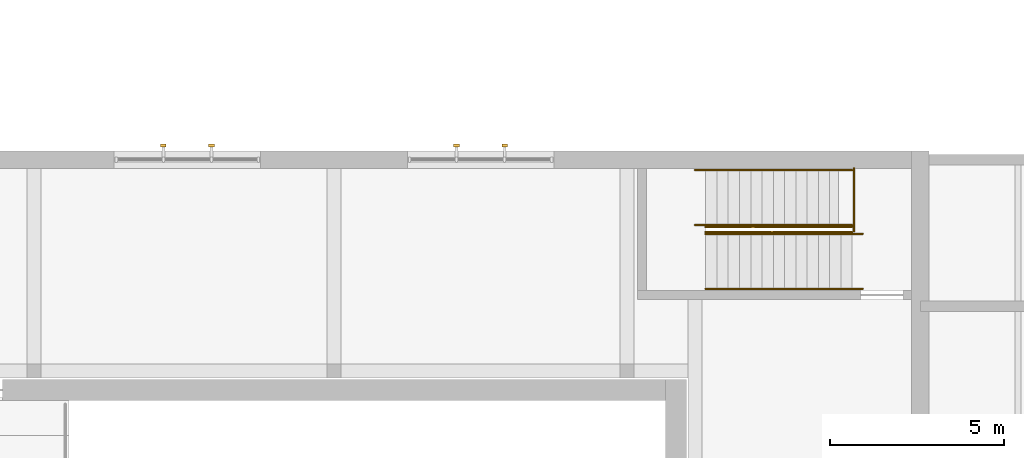
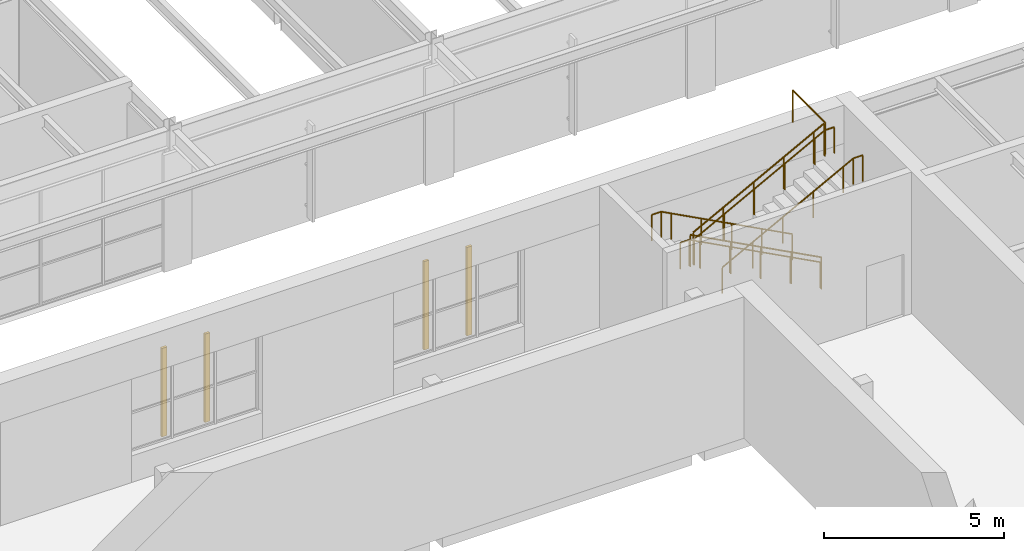
# One storey, part 112 of 116: 7 railings, 4 shading devices.
"""IFC4 building model written with IfcOpenShell, lengths in metres."""

from ifc_helpers import new_model, si_unit, direction, frame, origin, origin_2d, place, context, subcontext, project, spatial, rectangle, circle, extrude, material, type_object, element, save


model = new_model("IFC4")

# Units and contexts
model_context = context("Model", 3, precision=1e-05, world=origin(), true_north=direction((0.0, 1.0)))
body_context = subcontext(model_context, "Body", "Model", "MODEL_VIEW")
ifc_project = project(units=[si_unit("LENGTHUNIT", "METRE"), si_unit("AREAUNIT", "SQUARE_METRE"), si_unit("VOLUMEUNIT", "CUBIC_METRE"), si_unit("PLANEANGLEUNIT", "RADIAN"), si_unit("MASSUNIT", "GRAM", prefix="KILO")], contexts=[model_context])

# Site, building, storey
site_placement = place(None, origin())
site = spatial("IfcSite", under=ifc_project, at=site_placement, CompositionType="ELEMENT")
building_placement = place(site_placement, origin())
building = spatial("IfcBuilding", under=site, at=building_placement, Name="Ljudholm Concert House", CompositionType="ELEMENT")
storey_placement = place(building_placement, frame((0.0, 0.0, 10.199951171875)))
storey = spatial("IfcBuildingStorey", under=building, at=storey_placement, Name="L02", CompositionType="ELEMENT", Elevation=10.199951171875)

# Shading devices
ifc_material_1 = material(Name="Aluminium extrusion with timber-grain PVDF finish", Category="aluminium")
shading_device_type = type_object("IfcShadingDeviceType", Name="FACADE FIN 80x160", PredefinedType="SHUTTER", material=ifc_material_1)
for number, where, z_axis, x_axis, name in (
    (1, (74.7099609375, 96.81005859375, 0.699951171875), (0.0, 0.0, 1.0), (0.0, 1.0, 0.0), "Facade fin"),
    (2, (76.090087890625, 96.81005859375, 0.699951171875), (0.0, 0.0, 1.0), (0.0, 1.0, 0.0), "Facade fin"),
    (3, (83.110107421875, 96.81005859375, 0.699951171875), (0.0, 0.0, 1.0), (0.0, 1.0, 0.0), "Facade fin"),
    (4, (84.489990234375, 96.81005859375, 0.699951171875), (0.0, 0.0, 1.0), (0.0, 1.0, 0.0), "Facade fin"),
):
    element("IfcShadingDevice", number, at=place(storey_placement, frame(where, z_axis=z_axis, x_axis=x_axis)), inside=storey, type_object=shading_device_type, Name=name, PredefinedType="SHUTTER", context=body_context, shape_type="SweptSolid", body=[
        extrude(rectangle(XDim=0.080078125, YDim=0.159912109375, at=origin_2d()), origin(), (0.0, 0.0, 1.0), 3.0),
    ])

# Railings
ifc_material_2 = material(Name="Steel ASTM A36", Category="steel")
railing_type_1 = type_object("IfcRailingType", Name="GUARD 1100", PredefinedType="GUARDRAIL", material=ifc_material_2)
railing_1_placement = place(storey_placement, frame((94.449951171875, 94.47509765625, 0.17138671875)))
element("IfcRailing", 5, at=railing_1_placement, inside=storey, type_object=railing_type_1, Name="Guard", PredefinedType="GUARDRAIL", context=body_context, shape_type="SweptSolid", body=[
    extrude(circle(Radius=0.02490234375, at=origin_2d()), frame((0.0, 0.0, 1.0751953125), z_axis=(-0.883305776083, 0.0, 0.468797297281), x_axis=(0.0, -1.0, 0.0)), (0.0, 0.0, 1.0), 1.09716796875),
    extrude(circle(Radius=0.02490234375, at=origin_2d()), frame((-0.96923828125, 0.0, 1.58935546875), z_axis=(-0.883397901953, 0.0, 0.468623672925), x_axis=(0.0, -1.0, 0.0)), (0.0, 0.0, 1.0), 1.09716796875),
    extrude(circle(Radius=0.02490234375, at=origin_2d()), frame((-1.9384765625, 0.0, 2.103515625), z_axis=(-0.883305776083, 0.0, 0.468797297281), x_axis=(0.0, -1.0, 0.0)), (0.0, 0.0, 1.0), 1.09716796875),
    extrude(circle(Radius=0.02490234375, at=origin_2d()), frame((-2.90771484375, 0.0, 2.6181640625), z_axis=(-0.883397901953, 0.0, 0.468623672925), x_axis=(0.0, -1.0, 0.0)), (0.0, 0.0, 1.0), 1.09716796875),
    extrude(circle(Radius=0.02490234375, at=origin_2d()), frame((-3.876953125, 0.0, 3.13232421875), z_axis=(-0.88307250507, 0.0, 0.469236561651), x_axis=(0.0, -1.0, 0.0)), (0.0, 0.0, 1.0), 0.36572265625),
    extrude(circle(Radius=0.02099609375, at=origin_2d()), origin(), (0.0, 0.0, 1.0), 1.050048828125),
    extrude(circle(Radius=0.02099609375, at=origin_2d()), frame((-0.96923828125, 0.0, 0.514404296875)), (0.0, 0.0, 1.0), 1.050048828125),
    extrude(circle(Radius=0.02099609375, at=origin_2d()), frame((-1.9384765625, 0.0, 1.028564453125)), (0.0, 0.0, 1.0), 1.050048828125),
    extrude(circle(Radius=0.02099609375, at=origin_2d()), frame((-2.90771484375, 0.0, 1.54296875)), (0.0, 0.0, 1.0), 1.050048828125),
    extrude(circle(Radius=0.02099609375, at=origin_2d()), frame((-3.876953125, 0.0, 2.05712890625)), (0.0, 0.0, 1.0), 1.050048828125),
    extrude(circle(Radius=0.02099609375, at=origin_2d()), frame((-4.199951171875, 0.0, 2.228759765625)), (0.0, 0.0, 1.0), 1.050048828125),
])
railing_2_placement = place(storey_placement, frame((90.25, 94.324951171875, 2.571533203125)))
element("IfcRailing", 6, at=railing_2_placement, inside=storey, type_object=railing_type_1, Name="Guard", PredefinedType="GUARDRAIL", context=body_context, shape_type="SweptSolid", body=[
    extrude(circle(Radius=0.02490234375, at=origin_2d()), frame((0.0, 0.0, 1.0751953125), z_axis=(0.883397901953, 0.0, 0.468623672925), x_axis=(0.0, 1.0, 0.0)), (0.0, 0.0, 1.0), 1.09716796875),
    extrude(circle(Radius=0.02490234375, at=origin_2d()), frame((0.96923828125, 0.0, 1.58935546875), z_axis=(0.883305776083, 0.0, 0.468797297281), x_axis=(0.0, 1.0, 0.0)), (0.0, 0.0, 1.0), 1.09716796875),
    extrude(circle(Radius=0.02490234375, at=origin_2d()), frame((1.9384765625, 0.0, 2.103515625), z_axis=(0.883397901953, 0.0, 0.468623672925), x_axis=(0.0, 1.0, 0.0)), (0.0, 0.0, 1.0), 1.09716796875),
    extrude(circle(Radius=0.02490234375, at=origin_2d()), frame((2.90771484375, 0.0, 2.61767578125), z_axis=(0.883305776083, 0.0, 0.468797297281), x_axis=(0.0, 1.0, 0.0)), (0.0, 0.0, 1.0), 1.09716796875),
    extrude(circle(Radius=0.02490234375, at=origin_2d()), frame((3.876953125, 0.0, 3.13232421875), z_axis=(0.883349020695, 0.0, 0.468715806899), x_axis=(0.0, 1.0, 0.0)), (0.0, 0.0, 1.0), 0.36572265625),
    extrude(circle(Radius=0.02099609375, at=origin_2d()), origin(), (0.0, 0.0, 1.0), 1.050048828125),
    extrude(circle(Radius=0.02099609375, at=origin_2d()), frame((0.96923828125, 0.0, 0.51416015625)), (0.0, 0.0, 1.0), 1.050048828125),
    extrude(circle(Radius=0.02099609375, at=origin_2d()), frame((1.9384765625, 0.0, 1.028564453125)), (0.0, 0.0, 1.0), 1.050048828125),
    extrude(circle(Radius=0.02099609375, at=origin_2d()), frame((2.90771484375, 0.0, 1.542724609375)), (0.0, 0.0, 1.0), 1.050048828125),
    extrude(circle(Radius=0.02099609375, at=origin_2d()), frame((3.876953125, 0.0, 2.05712890625)), (0.0, 0.0, 1.0), 1.050048828125),
    extrude(circle(Radius=0.02099609375, at=origin_2d()), frame((4.199951171875, 0.0, 2.228515625)), (0.0, 0.0, 1.0), 1.050048828125),
])
railing_3_placement = place(storey_placement, frame((94.5, 96.14990234375, 4.800048828125)))
element("IfcRailing", 7, at=railing_3_placement, inside=storey, type_object=railing_type_1, Name="Guard", PredefinedType="GUARDRAIL", context=body_context, shape_type="SweptSolid", body=[
    extrude(circle(Radius=0.02490234375, at=origin_2d()), frame((0.0, 0.0, 1.0751953125), z_axis=(0.0, -1.0, 0.0), x_axis=(1.0, 0.0, 0.0)), (0.0, 0.0, 1.0), 1.7998046875),
    extrude(circle(Radius=0.02099609375, at=origin_2d()), origin(), (0.0, 0.0, 1.0), 1.050048828125),
    extrude(circle(Radius=0.02099609375, at=origin_2d()), frame((0.0, -1.7998046875, 0.0)), (0.0, 0.0, 1.0), 1.050048828125),
])
ifc_material_3 = material(Name="Steel ASTM A36", Category="steel")
railing_type_2 = type_object("IfcRailingType", Name="HANDRAIL 900", PredefinedType="HANDRAIL", material=ifc_material_3)
railing_4_placement = place(storey_placement, frame((94.449951171875, 94.52490234375, 0.17138671875)))
element("IfcRailing", 8, at=railing_4_placement, inside=storey, type_object=railing_type_2, Name="Handrail", PredefinedType="HANDRAIL", context=body_context, shape_type="SweptSolid", body=[
    extrude(circle(Radius=0.0224609375, at=origin_2d()), frame((0.0, 0.0, 0.87744140625), z_axis=(-0.883305776083, 0.0, 0.468797297281), x_axis=(0.0, -1.0, 0.0)), (0.0, 0.0, 1.0), 1.09716796875),
    extrude(circle(Radius=0.0224609375, at=origin_2d()), frame((-0.96923828125, 0.0, 1.391845703125), z_axis=(-0.883397901953, 0.0, 0.468623672925), x_axis=(0.0, -1.0, 0.0)), (0.0, 0.0, 1.0), 1.09716796875),
    extrude(circle(Radius=0.0224609375, at=origin_2d()), frame((-1.9384765625, 0.0, 1.906005859375), z_axis=(-0.883305776083, 0.0, 0.468797297281), x_axis=(0.0, -1.0, 0.0)), (0.0, 0.0, 1.0), 1.09716796875),
    extrude(circle(Radius=0.0224609375, at=origin_2d()), frame((-2.90771484375, 0.0, 2.42041015625), z_axis=(-0.883397901953, 0.0, 0.468623672925), x_axis=(0.0, -1.0, 0.0)), (0.0, 0.0, 1.0), 1.09716796875),
    extrude(circle(Radius=0.0224609375, at=origin_2d()), frame((-3.876953125, 0.0, 2.9345703125), z_axis=(-0.88307250507, 0.0, 0.469236561651), x_axis=(0.0, -1.0, 0.0)), (0.0, 0.0, 1.0), 0.36572265625),
    extrude(circle(Radius=0.0224609375, at=origin_2d()), frame((-4.199951171875, 0.0, 3.106201171875), z_axis=(-1.0, 0.0, 0.0), x_axis=(0.0, -1.0, 0.0)), (0.0, 0.0, 1.0), 0.300048828125),
    extrude(circle(Radius=0.02099609375, at=origin_2d()), origin(), (0.0, 0.0, 1.0), 0.85498046875),
    extrude(circle(Radius=0.02099609375, at=origin_2d()), frame((-0.96923828125, 0.0, 0.514404296875)), (0.0, 0.0, 1.0), 0.85498046875),
    extrude(circle(Radius=0.02099609375, at=origin_2d()), frame((-1.9384765625, 0.0, 1.028564453125)), (0.0, 0.0, 1.0), 0.85498046875),
    extrude(circle(Radius=0.02099609375, at=origin_2d()), frame((-2.90771484375, 0.0, 1.54296875)), (0.0, 0.0, 1.0), 0.85498046875),
    extrude(circle(Radius=0.02099609375, at=origin_2d()), frame((-3.876953125, 0.0, 2.05712890625)), (0.0, 0.0, 1.0), 0.85498046875),
    extrude(circle(Radius=0.02099609375, at=origin_2d()), frame((-4.199951171875, 0.0, 2.228759765625)), (0.0, 0.0, 1.0), 0.85498046875),
    extrude(circle(Radius=0.02099609375, at=origin_2d()), frame((-4.5, 0.0, 2.228759765625)), (0.0, 0.0, 1.0), 0.85498046875),
])
railing_5_placement = place(storey_placement, frame((94.449951171875, 96.10009765625, 0.17138671875)))
element("IfcRailing", 9, at=railing_5_placement, inside=storey, type_object=railing_type_2, Name="Handrail", PredefinedType="HANDRAIL", context=body_context, shape_type="SweptSolid", body=[
    extrude(circle(Radius=0.0224609375, at=origin_2d()), frame((0.0, 0.0, 0.87744140625), z_axis=(-0.883305776083, 0.0, 0.468797297281), x_axis=(0.0, -1.0, 0.0)), (0.0, 0.0, 1.0), 1.09716796875),
    extrude(circle(Radius=0.0224609375, at=origin_2d()), frame((-0.96923828125, 0.0, 1.391845703125), z_axis=(-0.883397901953, 0.0, 0.468623672925), x_axis=(0.0, -1.0, 0.0)), (0.0, 0.0, 1.0), 1.09716796875),
    extrude(circle(Radius=0.0224609375, at=origin_2d()), frame((-1.9384765625, 0.0, 1.906005859375), z_axis=(-0.883305776083, 0.0, 0.468797297281), x_axis=(0.0, -1.0, 0.0)), (0.0, 0.0, 1.0), 1.09716796875),
    extrude(circle(Radius=0.0224609375, at=origin_2d()), frame((-2.90771484375, 0.0, 2.42041015625), z_axis=(-0.883397901953, 0.0, 0.468623672925), x_axis=(0.0, -1.0, 0.0)), (0.0, 0.0, 1.0), 1.09716796875),
    extrude(circle(Radius=0.0224609375, at=origin_2d()), frame((-3.876953125, 0.0, 2.9345703125), z_axis=(-0.88307250507, 0.0, 0.469236561651), x_axis=(0.0, -1.0, 0.0)), (0.0, 0.0, 1.0), 0.36572265625),
    extrude(circle(Radius=0.0224609375, at=origin_2d()), frame((-4.199951171875, 0.0, 3.106201171875), z_axis=(-1.0, 0.0, 0.0), x_axis=(0.0, -1.0, 0.0)), (0.0, 0.0, 1.0), 0.300048828125),
    extrude(circle(Radius=0.02099609375, at=origin_2d()), origin(), (0.0, 0.0, 1.0), 0.85498046875),
    extrude(circle(Radius=0.02099609375, at=origin_2d()), frame((-0.96923828125, 0.0, 0.514404296875)), (0.0, 0.0, 1.0), 0.85498046875),
    extrude(circle(Radius=0.02099609375, at=origin_2d()), frame((-1.9384765625, 0.0, 1.028564453125)), (0.0, 0.0, 1.0), 0.85498046875),
    extrude(circle(Radius=0.02099609375, at=origin_2d()), frame((-2.90771484375, 0.0, 1.54296875)), (0.0, 0.0, 1.0), 0.85498046875),
    extrude(circle(Radius=0.02099609375, at=origin_2d()), frame((-3.876953125, 0.0, 2.05712890625)), (0.0, 0.0, 1.0), 0.85498046875),
    extrude(circle(Radius=0.02099609375, at=origin_2d()), frame((-4.199951171875, 0.0, 2.228759765625)), (0.0, 0.0, 1.0), 0.85498046875),
    extrude(circle(Radius=0.02099609375, at=origin_2d()), frame((-4.5, 0.0, 2.228759765625)), (0.0, 0.0, 1.0), 0.85498046875),
])
railing_6_placement = place(storey_placement, frame((90.25, 94.27490234375, 2.571533203125)))
element("IfcRailing", 10, at=railing_6_placement, inside=storey, type_object=railing_type_2, Name="Handrail", PredefinedType="HANDRAIL", context=body_context, shape_type="SweptSolid", body=[
    extrude(circle(Radius=0.0224609375, at=origin_2d()), frame((0.0, 0.0, 0.87744140625), z_axis=(0.883397901953, 0.0, 0.468623672925), x_axis=(0.0, 1.0, 0.0)), (0.0, 0.0, 1.0), 1.09716796875),
    extrude(circle(Radius=0.0224609375, at=origin_2d()), frame((0.96923828125, 0.0, 1.3916015625), z_axis=(0.883305776083, 0.0, 0.468797297281), x_axis=(0.0, 1.0, 0.0)), (0.0, 0.0, 1.0), 1.09716796875),
    extrude(circle(Radius=0.0224609375, at=origin_2d()), frame((1.9384765625, 0.0, 1.906005859375), z_axis=(0.883397901953, 0.0, 0.468623672925), x_axis=(0.0, 1.0, 0.0)), (0.0, 0.0, 1.0), 1.09716796875),
    extrude(circle(Radius=0.0224609375, at=origin_2d()), frame((2.90771484375, 0.0, 2.420166015625), z_axis=(0.883305776083, 0.0, 0.468797297281), x_axis=(0.0, 1.0, 0.0)), (0.0, 0.0, 1.0), 1.09716796875),
    extrude(circle(Radius=0.0224609375, at=origin_2d()), frame((3.876953125, 0.0, 2.9345703125), z_axis=(0.883349020695, 0.0, 0.468715806899), x_axis=(0.0, 1.0, 0.0)), (0.0, 0.0, 1.0), 0.36572265625),
    extrude(circle(Radius=0.0224609375, at=origin_2d()), frame((4.199951171875, 0.0, 3.10595703125), z_axis=(1.0, 0.0, 0.0), x_axis=(0.0, 1.0, 0.0)), (0.0, 0.0, 1.0), 0.300048828125),
    extrude(circle(Radius=0.02099609375, at=origin_2d()), origin(), (0.0, 0.0, 1.0), 0.85498046875),
    extrude(circle(Radius=0.02099609375, at=origin_2d()), frame((0.96923828125, 0.0, 0.51416015625)), (0.0, 0.0, 1.0), 0.85498046875),
    extrude(circle(Radius=0.02099609375, at=origin_2d()), frame((1.9384765625, 0.0, 1.028564453125)), (0.0, 0.0, 1.0), 0.85498046875),
    extrude(circle(Radius=0.02099609375, at=origin_2d()), frame((2.90771484375, 0.0, 1.542724609375)), (0.0, 0.0, 1.0), 0.85498046875),
    extrude(circle(Radius=0.02099609375, at=origin_2d()), frame((3.876953125, 0.0, 2.05712890625)), (0.0, 0.0, 1.0), 0.85498046875),
    extrude(circle(Radius=0.02099609375, at=origin_2d()), frame((4.199951171875, 0.0, 2.228515625)), (0.0, 0.0, 1.0), 0.85498046875),
    extrude(circle(Radius=0.02099609375, at=origin_2d()), frame((4.5, 0.0, 2.228515625)), (0.0, 0.0, 1.0), 0.85498046875),
])
railing_7_placement = place(storey_placement, frame((90.25, 92.699951171875, 2.571533203125)))
element("IfcRailing", 11, at=railing_7_placement, inside=storey, type_object=railing_type_2, Name="Handrail", PredefinedType="HANDRAIL", context=body_context, shape_type="SweptSolid", body=[
    extrude(circle(Radius=0.0224609375, at=origin_2d()), frame((0.0, 0.0, 0.87744140625), z_axis=(0.883397901953, 0.0, 0.468623672925), x_axis=(0.0, 1.0, 0.0)), (0.0, 0.0, 1.0), 1.09716796875),
    extrude(circle(Radius=0.0224609375, at=origin_2d()), frame((0.96923828125, 0.0, 1.3916015625), z_axis=(0.883305776083, 0.0, 0.468797297281), x_axis=(0.0, 1.0, 0.0)), (0.0, 0.0, 1.0), 1.09716796875),
    extrude(circle(Radius=0.0224609375, at=origin_2d()), frame((1.9384765625, 0.0, 1.906005859375), z_axis=(0.883397901953, 0.0, 0.468623672925), x_axis=(0.0, 1.0, 0.0)), (0.0, 0.0, 1.0), 1.09716796875),
    extrude(circle(Radius=0.0224609375, at=origin_2d()), frame((2.90771484375, 0.0, 2.420166015625), z_axis=(0.883305776083, 0.0, 0.468797297281), x_axis=(0.0, 1.0, 0.0)), (0.0, 0.0, 1.0), 1.09716796875),
    extrude(circle(Radius=0.0224609375, at=origin_2d()), frame((3.876953125, 0.0, 2.9345703125), z_axis=(0.883349020695, 0.0, 0.468715806899), x_axis=(0.0, 1.0, 0.0)), (0.0, 0.0, 1.0), 0.36572265625),
    extrude(circle(Radius=0.0224609375, at=origin_2d()), frame((4.199951171875, 0.0, 3.10595703125), z_axis=(1.0, 0.0, 0.0), x_axis=(0.0, 1.0, 0.0)), (0.0, 0.0, 1.0), 0.300048828125),
    extrude(circle(Radius=0.02099609375, at=origin_2d()), origin(), (0.0, 0.0, 1.0), 0.85498046875),
    extrude(circle(Radius=0.02099609375, at=origin_2d()), frame((0.96923828125, 0.0, 0.51416015625)), (0.0, 0.0, 1.0), 0.85498046875),
    extrude(circle(Radius=0.02099609375, at=origin_2d()), frame((1.9384765625, 0.0, 1.028564453125)), (0.0, 0.0, 1.0), 0.85498046875),
    extrude(circle(Radius=0.02099609375, at=origin_2d()), frame((2.90771484375, 0.0, 1.542724609375)), (0.0, 0.0, 1.0), 0.85498046875),
    extrude(circle(Radius=0.02099609375, at=origin_2d()), frame((3.876953125, 0.0, 2.05712890625)), (0.0, 0.0, 1.0), 0.85498046875),
    extrude(circle(Radius=0.02099609375, at=origin_2d()), frame((4.199951171875, 0.0, 2.228515625)), (0.0, 0.0, 1.0), 0.85498046875),
    extrude(circle(Radius=0.02099609375, at=origin_2d()), frame((4.5, 0.0, 2.228515625)), (0.0, 0.0, 1.0), 0.85498046875),
])

save(model, "model.ifc")
